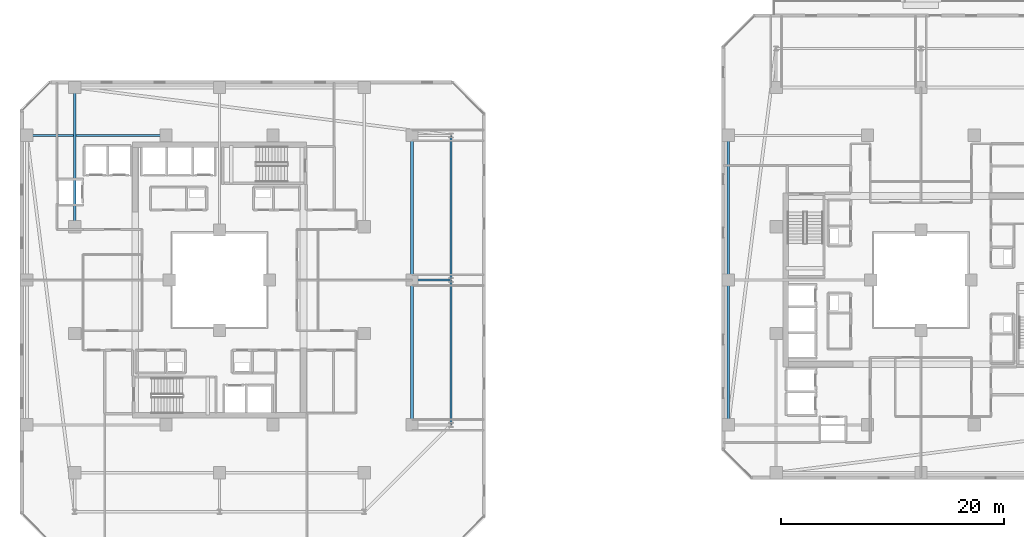
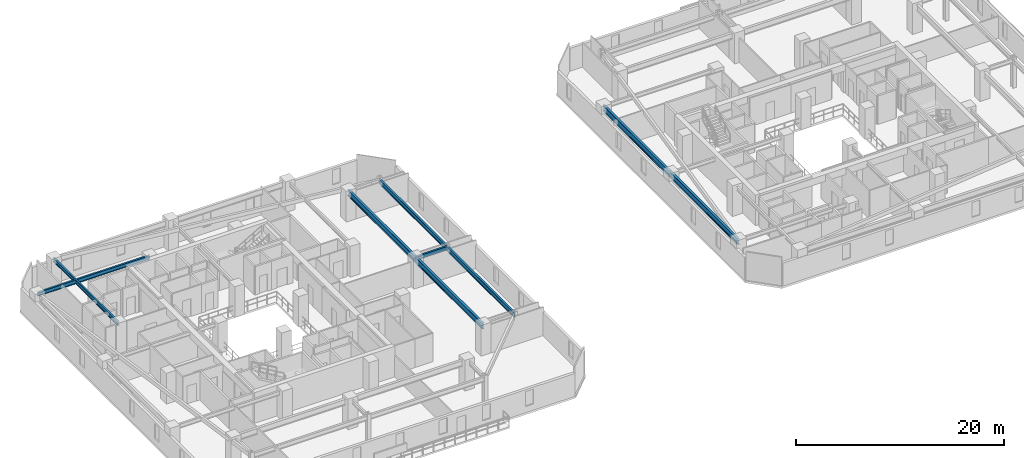
# One storey, part 7 of 33: 9 beams.
"""IFC4 building model written with IfcOpenShell, lengths in metres."""

from ifc_helpers import new_model, si_unit, direction, frame, origin, origin_2d, place, context, subcontext, project, spatial, i_section, extrude, material, material_profile, profile_set, type_object, element, save


model = new_model("IFC4")

# Units and contexts
model_context = context("Model", 3, precision=1e-05, world=origin(), true_north=direction((0.0, 1.0)))
body_context = subcontext(model_context, "Body", "Model", "MODEL_VIEW")
ifc_project = project(units=[si_unit("LENGTHUNIT", "METRE"), si_unit("AREAUNIT", "SQUARE_METRE"), si_unit("VOLUMEUNIT", "CUBIC_METRE"), si_unit("PLANEANGLEUNIT", "RADIAN"), si_unit("MASSUNIT", "GRAM", prefix="KILO")], contexts=[model_context])

# Site, building, storey
site_placement = place(None, origin())
site = spatial("IfcSite", under=ifc_project, at=site_placement, CompositionType="ELEMENT")
building_placement = place(site_placement, origin())
building = spatial("IfcBuilding", under=site, at=building_placement, Name="Thornwick Lancets Civic Towers", CompositionType="ELEMENT")
storey_placement = place(building_placement, frame((0.0, 0.0, 167.10009765625)))
storey = spatial("IfcBuildingStorey", under=building, at=storey_placement, Name="L44", CompositionType="ELEMENT", Elevation=167.10009765625)

# Beams
ifc_material = material(Name="Steel S355JR", Category="steel")
ifc_material_profile_1 = material_profile(ifc_material, i_section(OverallWidth=0.210693359375, OverallDepth=0.53955078125, WebThickness=0.01171875, FlangeThickness=0.018798828125, FilletRadius=0.0126953125, at=origin_2d()), Name="UKB 533x210x109")
ifc_profile_set_1 = profile_set([ifc_material_profile_1], Name="Steel S355JR")
beam_type_1 = type_object("IfcBeamType", Name="BM_EDGE_533_109", PredefinedType="SPANDREL", material=ifc_profile_set_1)
beam_1_placement = place(storey_placement, frame((46.300048828125, 14.0, 3.090087890625), z_axis=(0.0, 1.0, 0.0), x_axis=(-1.0, 0.0, 0.0)))
element("IfcBeam", 1, at=beam_1_placement, inside=storey, type_object=beam_type_1, Name="BM-EDGE-L44-A-S1-1", PredefinedType="SPANDREL", context=body_context, shape_type="SweptSolid", body=[
    extrude(i_section(OverallWidth=0.210693359375, OverallDepth=0.53955078125, WebThickness=0.01171875, FlangeThickness=0.018798828125, FilletRadius=0.0126953125, at=origin_2d()), origin(), (0.0, 0.0, 1.0), 13.0),
])
beam_2_placement = place(storey_placement, frame((46.300048828125, 27.080078125, 3.090087890625), z_axis=(0.0, 1.0, 0.0), x_axis=(-1.0, 0.0, 0.0)))
element("IfcBeam", 2, at=beam_2_placement, inside=storey, type_object=beam_type_1, Name="BM-EDGE-L44-A-S1-2", PredefinedType="SPANDREL", context=body_context, shape_type="SweptSolid", body=[
    extrude(i_section(OverallWidth=0.210693359375, OverallDepth=0.53955078125, WebThickness=0.01171875, FlangeThickness=0.018798828125, FilletRadius=0.0126953125, at=origin_2d()), origin(), (0.0, 0.0, 1.0), 12.919921875),
])
ifc_material_profile_2 = material_profile(ifc_material, i_section(OverallWidth=0.255859375, OverallDepth=0.69287109375, WebThickness=0.014404296875, FlangeThickness=0.023681640625, FilletRadius=0.01513671875, at=origin_2d()), Name="UKB 686x254x170")
ifc_profile_set_2 = profile_set([ifc_material_profile_2], Name="Steel S355JR")
beam_type_2 = type_object("IfcBeamType", Name="BM_GIRD_686_170", PredefinedType="BEAM", material=ifc_profile_set_2)
beam_3_placement = place(storey_placement, frame((42.800048828125, 14.0, 3.013427734375), z_axis=(0.0, 1.0, 0.0), x_axis=(-1.0, 0.0, 0.0)))
element("IfcBeam", 3, at=beam_3_placement, inside=storey, type_object=beam_type_2, Name="BM-SPINE-L44-A-3-4", PredefinedType="BEAM", context=body_context, shape_type="SweptSolid", body=[
    extrude(i_section(OverallWidth=0.255859375, OverallDepth=0.69287109375, WebThickness=0.014404296875, FlangeThickness=0.023681640625, FilletRadius=0.01513671875, at=origin_2d()), origin(), (0.0, 0.0, 1.0), 13.0),
])
beam_4_placement = place(storey_placement, frame((42.800048828125, 27.080078125, 3.013427734375), z_axis=(0.0, 1.0, 0.0), x_axis=(-1.0, 0.0, 0.0)))
element("IfcBeam", 4, at=beam_4_placement, inside=storey, type_object=beam_type_2, Name="BM-SPINE-L44-A-4-5", PredefinedType="BEAM", context=body_context, shape_type="SweptSolid", body=[
    extrude(i_section(OverallWidth=0.255859375, OverallDepth=0.69287109375, WebThickness=0.014404296875, FlangeThickness=0.023681640625, FilletRadius=0.01513671875, at=origin_2d()), origin(), (0.0, 0.0, 1.0), 12.919921875),
])
beam_5_placement = place(storey_placement, frame((71.199951171875, 14.0, 3.013427734375), z_axis=(0.0, 1.0, 0.0), x_axis=(-1.0, 0.0, 0.0)))
element("IfcBeam", 5, at=beam_5_placement, inside=storey, type_object=beam_type_2, Name="BM-SPINE-L44-B-6-7", PredefinedType="BEAM", context=body_context, shape_type="SweptSolid", body=[
    extrude(i_section(OverallWidth=0.255859375, OverallDepth=0.69287109375, WebThickness=0.014404296875, FlangeThickness=0.023681640625, FilletRadius=0.01513671875, at=origin_2d()), origin(), (0.0, 0.0, 1.0), 13.0),
])
beam_6_placement = place(storey_placement, frame((71.199951171875, 27.080078125, 3.013427734375), z_axis=(0.0, 1.0, 0.0), x_axis=(-1.0, 0.0, 0.0)))
element("IfcBeam", 6, at=beam_6_placement, inside=storey, type_object=beam_type_2, Name="BM-SPINE-L44-B-7-8", PredefinedType="BEAM", context=body_context, shape_type="SweptSolid", body=[
    extrude(i_section(OverallWidth=0.255859375, OverallDepth=0.69287109375, WebThickness=0.014404296875, FlangeThickness=0.023681640625, FilletRadius=0.01513671875, at=origin_2d()), origin(), (0.0, 0.0, 1.0), 12.919921875),
])
ifc_material_profile_3 = material_profile(ifc_material, i_section(OverallWidth=0.19189453125, OverallDepth=0.46337890625, WebThickness=0.010498046875, FlangeThickness=0.017578125, FilletRadius=0.01025390625, at=origin_2d()), Name="UKB 457x191x89")
ifc_profile_set_3 = profile_set([ifc_material_profile_3], Name="Steel S355JR")
beam_type_3 = type_object("IfcBeamType", Name="BM_JOIST_457_89", PredefinedType="JOIST", material=ifc_profile_set_3)
beam_7_placement = place(storey_placement, frame((42.800048828125, 27.0, 3.128173828125), z_axis=(1.0, 0.0, 0.0), x_axis=(0.0, 1.0, 0.0)))
element("IfcBeam", 7, at=beam_7_placement, inside=storey, type_object=beam_type_3, Name="BM-RAD-L44-A05", PredefinedType="JOIST", context=body_context, shape_type="SweptSolid", body=[
    extrude(i_section(OverallWidth=0.19189453125, OverallDepth=0.46337890625, WebThickness=0.010498046875, FlangeThickness=0.017578125, FilletRadius=0.01025390625, at=origin_2d()), origin(), (0.0, 0.0, 1.0), 3.5),
])
for number, where, z_axis, x_axis, name in (
    (8, (12.5, 31.800048828125, 3.128173828125), (0.0, 1.0, 0.0), (-1.0, 0.0, 0.0), "BM-RADIN-L44-A07"),
    (9, (20.699951171875, 40.0, 3.128173828125), (-1.0, 0.0, 0.0), (0.0, -1.0, 0.0), "BM-RADIN-L44-A12"),
):
    element("IfcBeam", number, at=place(storey_placement, frame(where, z_axis=z_axis, x_axis=x_axis)), inside=storey, type_object=beam_type_3, Name=name, PredefinedType="JOIST", context=body_context, shape_type="SweptSolid", body=[
        extrude(i_section(OverallWidth=0.19189453125, OverallDepth=0.46337890625, WebThickness=0.010498046875, FlangeThickness=0.017578125, FilletRadius=0.01025390625, at=origin_2d()), origin(), (0.0, 0.0, 1.0), 12.5),
    ])

save(model, "model.ifc")
